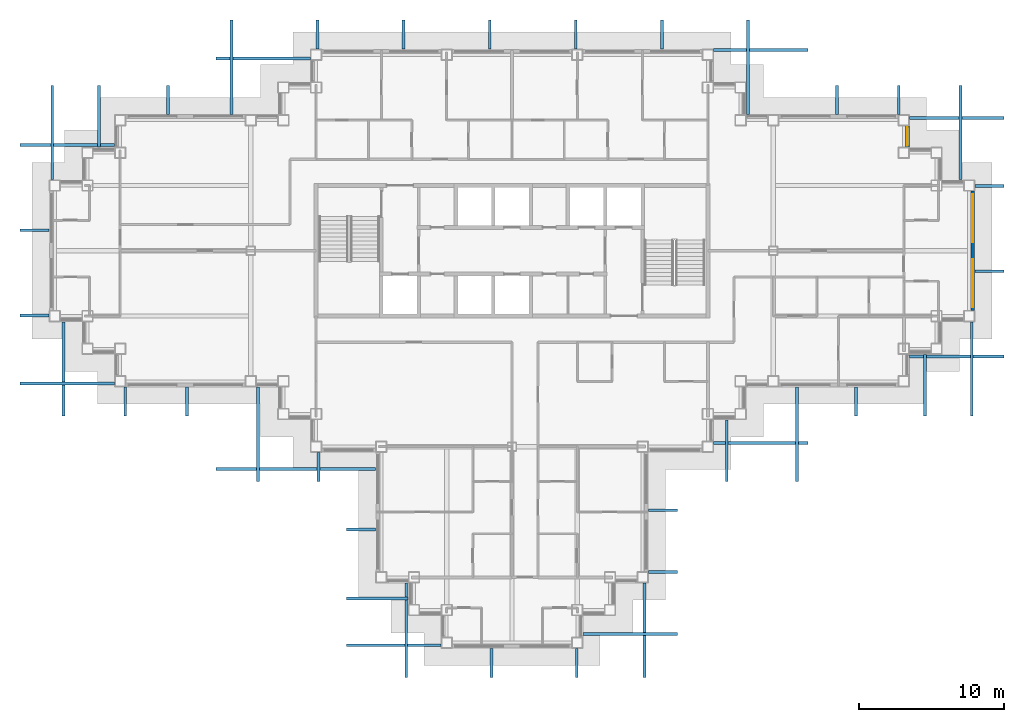
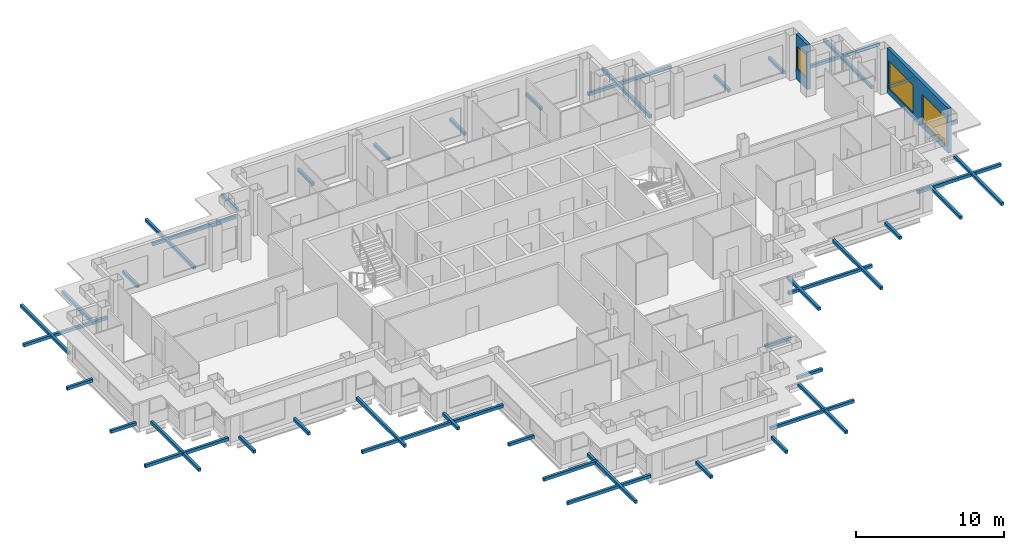
# One storey, part 10 of 15: 45 discrete accessories, 3 windows, 2 walls, 3 openings.
"""IFC4 building model written with IfcOpenShell, lengths in metres."""

from ifc_helpers import new_model, si_unit, direction, frame, frame_2d, origin, origin_2d, place, context, subcontext, project, spatial, rectangle, extrude, material, layer, layer_set, type_object, element, fill, save


model = new_model("IFC4")

# Units and contexts
model_context = context("Model", 3, precision=1e-05, world=origin(), true_north=direction((0.0, 1.0)))
body_context = subcontext(model_context, "Body", "Model", "MODEL_VIEW")
ifc_project = project(units=[si_unit("LENGTHUNIT", "METRE"), si_unit("AREAUNIT", "SQUARE_METRE"), si_unit("VOLUMEUNIT", "CUBIC_METRE"), si_unit("PLANEANGLEUNIT", "RADIAN"), si_unit("MASSUNIT", "GRAM", prefix="KILO")], contexts=[model_context])

# Site, building, storey
site_placement = place(None, origin())
site = spatial("IfcSite", under=ifc_project, at=site_placement, CompositionType="ELEMENT")
building_placement = place(site_placement, origin())
building = spatial("IfcBuilding", under=site, at=building_placement, Name="Caravel Reach Hotel and Residences", CompositionType="ELEMENT")
storey_placement = place(building_placement, frame((0.0, 0.0, 172.800048828125)))
storey = spatial("IfcBuildingStorey", under=building, at=storey_placement, Name="L43", CompositionType="ELEMENT", Elevation=172.800048828125)

# Wall, openings, windows
ifc_material_1 = material(Name="Insulated rainscreen wall, aluminium cladding", Category="aluminium")
ifc_layer = layer(ifc_material_1, 0.25)
ifc_layer_set = layer_set([ifc_layer], Name="EW1 Tower rainscreen wall")
wall_type = type_object("IfcWallType", Name="EW1 Tower rainscreen wall", PredefinedType="SOLIDWALL", material=ifc_layer_set)
wall_1_placement = place(storey_placement, frame((63.25, 22.875, 0.0), z_axis=(0.0, 0.0, 1.0), x_axis=(0.0, 1.0, 0.0)))
wall_1 = element("IfcWall", 1, at=wall_1_placement, inside=storey, type_object=wall_type, Name="External wall L43 E20.1", PredefinedType="SOLIDWALL", context=body_context, shape_type="SweptSolid", body=[
    extrude(rectangle(XDim=8.25, YDim=0.25, at=frame_2d((4.125, 0.0))), origin(), (0.0, 0.0, 1.0), 3.699951171875),
])
opening_1_placement = place(wall_1_placement, frame((0.22509765625, 0.0, 0.449951171875)))
opening_1 = element("IfcOpeningElement", 2, at=opening_1_placement, cuts=wall_1, Name="Opening WN15", PredefinedType="OPENING", context=body_context, shape_type="SweptSolid", body=[
    extrude(rectangle(XDim=3.300048828125, YDim=2.300048828125, at=frame_2d((1.64990234375, 1.14990234375))), frame((0.0, 0.135009765625, 0.0), z_axis=(0.0, -1.0, 0.0), x_axis=(1.0, 0.0, 0.0)), (0.0, 0.0, 1.0), 0.27001953125),
])
opening_2_placement = place(wall_1_placement, frame((4.72509765625, 0.0, 0.449951171875)))
opening_2 = element("IfcOpeningElement", 3, at=opening_2_placement, cuts=wall_1, Name="Opening WN15", PredefinedType="OPENING", context=body_context, shape_type="SweptSolid", body=[
    extrude(rectangle(XDim=3.300048828125, YDim=2.300048828125, at=frame_2d((1.64990234375, 1.14990234375))), frame((0.0, 0.135009765625, 0.0), z_axis=(0.0, -1.0, 0.0), x_axis=(1.0, 0.0, 0.0)), (0.0, 0.0, 1.0), 0.27001953125),
])
ifc_material_2 = material(Name="Dark low-e glazing in black aluminium frame", Category="aluminium")
window_type_1 = type_object("IfcWindowType", Name="Residence living window 3300 x 2300", PartitioningType="SINGLE_PANEL", PredefinedType="WINDOW", material=ifc_material_2)
window_1_placement = place(opening_1_placement, origin())
window_1 = element("IfcWindow", 4, at=window_1_placement, inside=storey, type_object=window_type_1, Name="Window L43 E20.1.1", OverallHeight=2.300048828125, OverallWidth=3.300048828125, PartitioningType="SINGLE_PANEL", PredefinedType="WINDOW", context=body_context, shape_type="SweptSolid", body=[
    extrude(rectangle(XDim=3.300048828125, YDim=2.300048828125, at=frame_2d((1.64990234375, 1.14990234375))), frame((0.0, 0.030029296875, 0.0), z_axis=(0.0, -1.0, 0.0), x_axis=(1.0, 0.0, 0.0)), (0.0, 0.0, 1.0), 0.06005859375),
])
fill(opening_1, window_1)
window_2_placement = place(opening_2_placement, origin())
window_2 = element("IfcWindow", 5, at=window_2_placement, inside=storey, type_object=window_type_1, Name="Window L43 E20.1.2", OverallHeight=2.300048828125, OverallWidth=3.300048828125, PartitioningType="SINGLE_PANEL", PredefinedType="WINDOW", context=body_context, shape_type="SweptSolid", body=[
    extrude(rectangle(XDim=3.300048828125, YDim=2.300048828125, at=frame_2d((1.64990234375, 1.14990234375))), frame((0.0, 0.030029296875, 0.0), z_axis=(0.0, -1.0, 0.0), x_axis=(1.0, 0.0, 0.0)), (0.0, 0.0, 1.0), 0.06005859375),
])
fill(opening_2, window_2)

# Wall, opening, window
wall_2_placement = place(storey_placement, frame((58.75, 34.125, 0.0), z_axis=(0.0, 0.0, 1.0), x_axis=(0.0, 1.0, 0.0)))
wall_2 = element("IfcWall", 6, at=wall_2_placement, inside=storey, type_object=wall_type, Name="External wall L43 E24.1", PredefinedType="SOLIDWALL", context=body_context, shape_type="SweptSolid", body=[
    extrude(rectangle(XDim=1.5, YDim=0.25, at=frame_2d((0.75, 0.0))), origin(), (0.0, 0.0, 1.0), 3.699951171875),
])
opening_3_placement = place(wall_2_placement, frame((0.10009765625, 0.0, 0.89990234375)))
opening_3 = element("IfcOpeningElement", 7, at=opening_3_placement, cuts=wall_2, Name="Opening WN16", PredefinedType="OPENING", context=body_context, shape_type="SweptSolid", body=[
    extrude(rectangle(XDim=1.300048828125, YDim=1.85009765625, at=frame_2d((0.64990234375, 0.925048828125))), frame((0.0, 0.135009765625, 0.0), z_axis=(0.0, -1.0, 0.0), x_axis=(1.0, 0.0, 0.0)), (0.0, 0.0, 1.0), 0.27001953125),
])
ifc_material_3 = material(Name="Dark low-e glazing in black aluminium frame", Category="aluminium")
window_type_2 = type_object("IfcWindowType", Name="Residence bedroom window 1300 x 1850", PartitioningType="SINGLE_PANEL", PredefinedType="WINDOW", material=ifc_material_3)
window_3_placement = place(opening_3_placement, origin())
window_3 = element("IfcWindow", 8, at=window_3_placement, inside=storey, type_object=window_type_2, Name="Window L43 E24.1.1", OverallHeight=1.85009765625, OverallWidth=1.300048828125, PartitioningType="SINGLE_PANEL", PredefinedType="WINDOW", context=body_context, shape_type="SweptSolid", body=[
    extrude(rectangle(XDim=1.300048828125, YDim=1.85009765625, at=frame_2d((0.64990234375, 0.925048828125))), frame((0.0, 0.030029296875, 0.0), z_axis=(0.0, -1.0, 0.0), x_axis=(1.0, 0.0, 0.0)), (0.0, 0.0, 1.0), 0.06005859375),
])
fill(opening_3, window_3)

# Discrete accessories
ifc_material_4 = material(Name="Black powder-coated aluminium", Category="aluminium")
discrete_accessory_type = type_object("IfcDiscreteAccessoryType", Name="BR1 Screen bracket", PredefinedType="BRACKET", material=ifc_material_4)
discrete_accessory_1_placement = place(storey_placement, frame((21.10009765625, 7.78662109375, 0.099853515625), z_axis=(0.0, 0.0, 1.0), x_axis=(-1.0, 0.0, 0.0)))
element("IfcDiscreteAccessory", 9, at=discrete_accessory_1_placement, inside=storey, type_object=discrete_accessory_type, Name="Screen bracket L43 1.1.2", PredefinedType="BRACKET", context=body_context, shape_type="SweptSolid", body=[
    extrude(rectangle(XDim=2.0, YDim=0.199951171875, at=origin_2d()), origin(), (0.0, 0.0, 1.0), 0.25),
])
discrete_accessory_2_placement = place(storey_placement, frame((22.22509765625, 3.05322265625, 0.099853515625), z_axis=(0.0, 0.0, 1.0), x_axis=(-1.0, 0.0, 0.0)))
element("IfcDiscreteAccessory", 10, at=discrete_accessory_2_placement, inside=storey, type_object=discrete_accessory_type, Name="Screen bracket L43 1.2.2", PredefinedType="BRACKET", context=body_context, shape_type="SweptSolid", body=[
    extrude(rectangle(XDim=4.25, YDim=0.199951171875, at=origin_2d()), origin(), (0.0, 0.0, 1.0), 0.25),
])
for number, where, z_axis, x_axis, name in (
    (11, (23.35009765625, -0.179931640625, 0.099853515625), (0.0, 0.0, 1.0), (-1.0, 0.0, 0.0), "Screen bracket L43 1.3.2"),
    (12, (24.21240234375, 0.85009765625, 0.099853515625), (0.0, 0.0, 1.0), (0.0, -1.0, 0.0), "Screen bracket L43 2.1.2"),
):
    element("IfcDiscreteAccessory", number, at=place(storey_placement, frame(where, z_axis=z_axis, x_axis=x_axis)), inside=storey, type_object=discrete_accessory_type, Name=name, PredefinedType="BRACKET", context=body_context, shape_type="SweptSolid", body=[
        extrude(rectangle(XDim=6.5, YDim=0.199951171875, at=origin_2d()), origin(), (0.0, 0.0, 1.0), 0.25),
    ])
for number, where, z_axis, x_axis, name in (
    (13, (30.08740234375, -1.39990234375, 0.099853515625), (0.0, 0.0, 1.0), (0.0, -1.0, 0.0), "Screen bracket L43 2.2.2"),
    (14, (35.96240234375, -1.39990234375, 0.099853515625), (0.0, 0.0, 1.0), (0.0, -1.0, 0.0), "Screen bracket L43 2.3.2"),
):
    element("IfcDiscreteAccessory", number, at=place(storey_placement, frame(where, z_axis=z_axis, x_axis=x_axis)), inside=storey, type_object=discrete_accessory_type, Name=name, PredefinedType="BRACKET", context=body_context, shape_type="SweptSolid", body=[
        extrude(rectangle(XDim=2.0, YDim=0.199951171875, at=origin_2d()), origin(), (0.0, 0.0, 1.0), 0.25),
    ])
for number, where, z_axis, x_axis, name in (
    (15, (40.637451171875, 0.85009765625, 0.099853515625), (0.0, 0.0, 1.0), (0.0, -1.0, 0.0), "Screen bracket L43 2.4.2"),
    (16, (39.64990234375, 0.586669921875, 0.099853515625), (0.0, 0.0, 1.0), (1.0, 0.0, 0.0), "Screen bracket L43 3.1.2"),
):
    element("IfcDiscreteAccessory", number, at=place(storey_placement, frame(where, z_axis=z_axis, x_axis=x_axis)), inside=storey, type_object=discrete_accessory_type, Name=name, PredefinedType="BRACKET", context=body_context, shape_type="SweptSolid", body=[
        extrude(rectangle(XDim=6.5, YDim=0.199951171875, at=origin_2d()), origin(), (0.0, 0.0, 1.0), 0.25),
    ])
for number, where, z_axis, x_axis, name in (
    (17, (41.89990234375, 4.853271484375, 0.099853515625), (0.0, 0.0, 1.0), (1.0, 0.0, 0.0), "Screen bracket L43 3.2.2"),
    (18, (41.89990234375, 9.1201171875, 0.099853515625), (0.0, 0.0, 1.0), (1.0, 0.0, 0.0), "Screen bracket L43 3.3.2"),
):
    element("IfcDiscreteAccessory", number, at=place(storey_placement, frame(where, z_axis=z_axis, x_axis=x_axis)), inside=storey, type_object=discrete_accessory_type, Name=name, PredefinedType="BRACKET", context=body_context, shape_type="SweptSolid", body=[
        extrude(rectangle(XDim=2.0, YDim=0.199951171875, at=origin_2d()), origin(), (0.0, 0.0, 1.0), 0.25),
    ])
discrete_accessory_3_placement = place(storey_placement, frame((46.294921875, 13.22509765625, 0.099853515625), z_axis=(0.0, 0.0, 1.0), x_axis=(0.0, -1.0, 0.0)))
element("IfcDiscreteAccessory", 19, at=discrete_accessory_3_placement, inside=storey, type_object=discrete_accessory_type, Name="Screen bracket L43 4.1.2", PredefinedType="BRACKET", context=body_context, shape_type="SweptSolid", body=[
    extrude(rectangle(XDim=4.25, YDim=0.199951171875, at=origin_2d()), origin(), (0.0, 0.0, 1.0), 0.25),
])
for number, where, z_axis, x_axis, name in (
    (20, (51.14501953125, 14.35009765625, 0.099853515625), (0.0, 0.0, 1.0), (0.0, -1.0, 0.0), "Screen bracket L43 4.2.2"),
    (21, (48.64990234375, 13.760009765625, 0.099853515625), (0.0, 0.0, 1.0), (1.0, 0.0, 0.0), "Screen bracket L43 5.1.2"),
):
    element("IfcDiscreteAccessory", number, at=place(storey_placement, frame(where, z_axis=z_axis, x_axis=x_axis)), inside=storey, type_object=discrete_accessory_type, Name=name, PredefinedType="BRACKET", context=body_context, shape_type="SweptSolid", body=[
        extrude(rectangle(XDim=6.5, YDim=0.199951171875, at=origin_2d()), origin(), (0.0, 0.0, 1.0), 0.25),
    ])
discrete_accessory_4_placement = place(storey_placement, frame((55.21337890625, 16.60009765625, 0.099853515625), z_axis=(0.0, 0.0, 1.0), x_axis=(0.0, -1.0, 0.0)))
element("IfcDiscreteAccessory", 22, at=discrete_accessory_4_placement, inside=storey, type_object=discrete_accessory_type, Name="Screen bracket L43 6.1.2", PredefinedType="BRACKET", context=body_context, shape_type="SweptSolid", body=[
    extrude(rectangle(XDim=2.0, YDim=0.199951171875, at=origin_2d()), origin(), (0.0, 0.0, 1.0), 0.25),
])
discrete_accessory_5_placement = place(storey_placement, frame((59.94677734375, 17.72509765625, 0.099853515625), z_axis=(0.0, 0.0, 1.0), x_axis=(0.0, -1.0, 0.0)))
element("IfcDiscreteAccessory", 23, at=discrete_accessory_5_placement, inside=storey, type_object=discrete_accessory_type, Name="Screen bracket L43 6.2.2", PredefinedType="BRACKET", context=body_context, shape_type="SweptSolid", body=[
    extrude(rectangle(XDim=4.25, YDim=0.199951171875, at=origin_2d()), origin(), (0.0, 0.0, 1.0), 0.25),
])
for number, where, z_axis, x_axis, name in (
    (24, (63.179931640625, 18.85009765625, 0.099853515625), (0.0, 0.0, 1.0), (0.0, -1.0, 0.0), "Screen bracket L43 6.3.2"),
    (25, (62.14990234375, 19.71240234375, 0.099853515625), (0.0, 0.0, 1.0), (1.0, 0.0, 0.0), "Screen bracket L43 7.1.2"),
):
    element("IfcDiscreteAccessory", number, at=place(storey_placement, frame(where, z_axis=z_axis, x_axis=x_axis)), inside=storey, type_object=discrete_accessory_type, Name=name, PredefinedType="BRACKET", context=body_context, shape_type="SweptSolid", body=[
        extrude(rectangle(XDim=6.5, YDim=0.199951171875, at=origin_2d()), origin(), (0.0, 0.0, 1.0), 0.25),
    ])
for number, where, z_axis, x_axis, name in (
    (26, (64.39990234375, 25.58740234375, 0.099853515625), (0.0, 0.0, 1.0), (1.0, 0.0, 0.0), "Screen bracket L43 7.2.2"),
    (27, (64.39990234375, 31.46240234375, 0.099853515625), (0.0, 0.0, 1.0), (1.0, 0.0, 0.0), "Screen bracket L43 7.3.2"),
):
    element("IfcDiscreteAccessory", number, at=place(storey_placement, frame(where, z_axis=z_axis, x_axis=x_axis)), inside=storey, type_object=discrete_accessory_type, Name=name, PredefinedType="BRACKET", context=body_context, shape_type="SweptSolid", body=[
        extrude(rectangle(XDim=2.0, YDim=0.199951171875, at=origin_2d()), origin(), (0.0, 0.0, 1.0), 0.25),
    ])
for number, where, z_axis, x_axis, name in (
    (28, (62.14990234375, 36.137451171875, 0.099853515625), (0.0, 0.0, 1.0), (1.0, 0.0, 0.0), "Screen bracket L43 7.4.2"),
    (29, (62.413330078125, 35.14990234375, 0.099853515625), (0.0, 0.0, 1.0), (0.0, 1.0, 0.0), "Screen bracket L43 8.1.2"),
):
    element("IfcDiscreteAccessory", number, at=place(storey_placement, frame(where, z_axis=z_axis, x_axis=x_axis)), inside=storey, type_object=discrete_accessory_type, Name=name, PredefinedType="BRACKET", context=body_context, shape_type="SweptSolid", body=[
        extrude(rectangle(XDim=6.5, YDim=0.199951171875, at=origin_2d()), origin(), (0.0, 0.0, 1.0), 0.25),
    ])
for number, where, z_axis, x_axis, name in (
    (30, (58.146728515625, 37.39990234375, 0.099853515625), (0.0, 0.0, 1.0), (0.0, 1.0, 0.0), "Screen bracket L43 8.2.2"),
    (31, (53.8798828125, 37.39990234375, 0.099853515625), (0.0, 0.0, 1.0), (0.0, 1.0, 0.0), "Screen bracket L43 8.3.2"),
):
    element("IfcDiscreteAccessory", number, at=place(storey_placement, frame(where, z_axis=z_axis, x_axis=x_axis)), inside=storey, type_object=discrete_accessory_type, Name=name, PredefinedType="BRACKET", context=body_context, shape_type="SweptSolid", body=[
        extrude(rectangle(XDim=2.0, YDim=0.199951171875, at=origin_2d()), origin(), (0.0, 0.0, 1.0), 0.25),
    ])
for number, where, z_axis, x_axis, name in (
    (32, (48.64990234375, 40.840087890625, 0.099853515625), (0.0, 0.0, 1.0), (1.0, 0.0, 0.0), "Screen bracket L43 9.1.2"),
    (33, (47.75, 39.64990234375, 0.099853515625), (0.0, 0.0, 1.0), (0.0, 1.0, 0.0), "Screen bracket L43 10.1.2"),
):
    element("IfcDiscreteAccessory", number, at=place(storey_placement, frame(where, z_axis=z_axis, x_axis=x_axis)), inside=storey, type_object=discrete_accessory_type, Name=name, PredefinedType="BRACKET", context=body_context, shape_type="SweptSolid", body=[
        extrude(rectangle(XDim=6.5, YDim=0.199951171875, at=origin_2d()), origin(), (0.0, 0.0, 1.0), 0.25),
    ])
for number, where, z_axis, x_axis, name in (
    (34, (41.821533203125, 41.89990234375, 0.099853515625), (0.0, 0.0, 1.0), (0.0, 1.0, 0.0), "Screen bracket L43 10.2.2"),
    (35, (35.892822265625, 41.89990234375, 0.099853515625), (0.0, 0.0, 1.0), (0.0, 1.0, 0.0), "Screen bracket L43 10.3.2"),
    (36, (29.96435546875, 41.89990234375, 0.099853515625), (0.0, 0.0, 1.0), (0.0, 1.0, 0.0), "Screen bracket L43 10.4.2"),
    (37, (24.03564453125, 41.89990234375, 0.099853515625), (0.0, 0.0, 1.0), (0.0, 1.0, 0.0), "Screen bracket L43 10.5.2"),
    (38, (18.107177734375, 41.89990234375, 0.099853515625), (0.0, 0.0, 1.0), (0.0, 1.0, 0.0), "Screen bracket L43 10.6.2"),
):
    element("IfcDiscreteAccessory", number, at=place(storey_placement, frame(where, z_axis=z_axis, x_axis=x_axis)), inside=storey, type_object=discrete_accessory_type, Name=name, PredefinedType="BRACKET", context=body_context, shape_type="SweptSolid", body=[
        extrude(rectangle(XDim=2.0, YDim=0.199951171875, at=origin_2d()), origin(), (0.0, 0.0, 1.0), 0.25),
    ])
for number, where, z_axis, x_axis, name in (
    (39, (12.178466796875, 39.64990234375, 0.099853515625), (0.0, 0.0, 1.0), (0.0, 1.0, 0.0), "Screen bracket L43 10.7.2"),
    (40, (14.35009765625, 40.239990234375, 0.099853515625), (0.0, 0.0, 1.0), (-1.0, 0.0, 0.0), "Screen bracket L43 11.1.2"),
):
    element("IfcDiscreteAccessory", number, at=place(storey_placement, frame(where, z_axis=z_axis, x_axis=x_axis)), inside=storey, type_object=discrete_accessory_type, Name=name, PredefinedType="BRACKET", context=body_context, shape_type="SweptSolid", body=[
        extrude(rectangle(XDim=6.5, YDim=0.199951171875, at=origin_2d()), origin(), (0.0, 0.0, 1.0), 0.25),
    ])
discrete_accessory_6_placement = place(storey_placement, frame((7.78662109375, 37.39990234375, 0.099853515625), z_axis=(0.0, 0.0, 1.0), x_axis=(0.0, 1.0, 0.0)))
element("IfcDiscreteAccessory", 41, at=discrete_accessory_6_placement, inside=storey, type_object=discrete_accessory_type, Name="Screen bracket L43 12.1.2", PredefinedType="BRACKET", context=body_context, shape_type="SweptSolid", body=[
    extrude(rectangle(XDim=2.0, YDim=0.199951171875, at=origin_2d()), origin(), (0.0, 0.0, 1.0), 0.25),
])
discrete_accessory_7_placement = place(storey_placement, frame((3.05322265625, 36.27490234375, 0.099853515625), z_axis=(0.0, 0.0, 1.0), x_axis=(0.0, 1.0, 0.0)))
element("IfcDiscreteAccessory", 42, at=discrete_accessory_7_placement, inside=storey, type_object=discrete_accessory_type, Name="Screen bracket L43 12.2.2", PredefinedType="BRACKET", context=body_context, shape_type="SweptSolid", body=[
    extrude(rectangle(XDim=4.25, YDim=0.199951171875, at=origin_2d()), origin(), (0.0, 0.0, 1.0), 0.25),
])
for number, where, z_axis, x_axis, name in (
    (43, (-0.179931640625, 35.14990234375, 0.099853515625), (0.0, 0.0, 1.0), (0.0, 1.0, 0.0), "Screen bracket L43 12.3.2"),
    (44, (0.85009765625, 34.28759765625, 0.099853515625), (0.0, 0.0, 1.0), (-1.0, 0.0, 0.0), "Screen bracket L43 13.1.2"),
):
    element("IfcDiscreteAccessory", number, at=place(storey_placement, frame(where, z_axis=z_axis, x_axis=x_axis)), inside=storey, type_object=discrete_accessory_type, Name=name, PredefinedType="BRACKET", context=body_context, shape_type="SweptSolid", body=[
        extrude(rectangle(XDim=6.5, YDim=0.199951171875, at=origin_2d()), origin(), (0.0, 0.0, 1.0), 0.25),
    ])
for number, where, z_axis, x_axis, name in (
    (45, (-1.39990234375, 28.41259765625, 0.099853515625), (0.0, 0.0, 1.0), (-1.0, 0.0, 0.0), "Screen bracket L43 13.2.2"),
    (46, (-1.39990234375, 22.53759765625, 0.099853515625), (0.0, 0.0, 1.0), (-1.0, 0.0, 0.0), "Screen bracket L43 13.3.2"),
):
    element("IfcDiscreteAccessory", number, at=place(storey_placement, frame(where, z_axis=z_axis, x_axis=x_axis)), inside=storey, type_object=discrete_accessory_type, Name=name, PredefinedType="BRACKET", context=body_context, shape_type="SweptSolid", body=[
        extrude(rectangle(XDim=2.0, YDim=0.199951171875, at=origin_2d()), origin(), (0.0, 0.0, 1.0), 0.25),
    ])
for number, where, z_axis, x_axis, name in (
    (47, (0.85009765625, 17.862548828125, 0.099853515625), (0.0, 0.0, 1.0), (-1.0, 0.0, 0.0), "Screen bracket L43 13.4.2"),
    (48, (0.586669921875, 18.85009765625, 0.099853515625), (0.0, 0.0, 1.0), (0.0, -1.0, 0.0), "Screen bracket L43 14.1.2"),
):
    element("IfcDiscreteAccessory", number, at=place(storey_placement, frame(where, z_axis=z_axis, x_axis=x_axis)), inside=storey, type_object=discrete_accessory_type, Name=name, PredefinedType="BRACKET", context=body_context, shape_type="SweptSolid", body=[
        extrude(rectangle(XDim=6.5, YDim=0.199951171875, at=origin_2d()), origin(), (0.0, 0.0, 1.0), 0.25),
    ])
for number, where, z_axis, x_axis, name in (
    (49, (4.853271484375, 16.60009765625, 0.099853515625), (0.0, 0.0, 1.0), (0.0, -1.0, 0.0), "Screen bracket L43 14.2.2"),
    (50, (9.1201171875, 16.60009765625, 0.099853515625), (0.0, 0.0, 1.0), (0.0, -1.0, 0.0), "Screen bracket L43 14.3.2"),
):
    element("IfcDiscreteAccessory", number, at=place(storey_placement, frame(where, z_axis=z_axis, x_axis=x_axis)), inside=storey, type_object=discrete_accessory_type, Name=name, PredefinedType="BRACKET", context=body_context, shape_type="SweptSolid", body=[
        extrude(rectangle(XDim=2.0, YDim=0.199951171875, at=origin_2d()), origin(), (0.0, 0.0, 1.0), 0.25),
    ])
discrete_accessory_8_placement = place(storey_placement, frame((16.60009765625, 11.9599609375, 0.099853515625), z_axis=(0.0, 0.0, 1.0), x_axis=(-1.0, 0.0, 0.0)))
element("IfcDiscreteAccessory", 51, at=discrete_accessory_8_placement, inside=storey, type_object=discrete_accessory_type, Name="Screen bracket L43 15.1.2", PredefinedType="BRACKET", context=body_context, shape_type="SweptSolid", body=[
    extrude(rectangle(XDim=11.0, YDim=0.199951171875, at=origin_2d()), origin(), (0.0, 0.0, 1.0), 0.25),
])
discrete_accessory_9_placement = place(storey_placement, frame((14.0048828125, 14.35009765625, 0.099853515625), z_axis=(0.0, 0.0, 1.0), x_axis=(0.0, -1.0, 0.0)))
element("IfcDiscreteAccessory", 52, at=discrete_accessory_9_placement, inside=storey, type_object=discrete_accessory_type, Name="Screen bracket L43 16.1.2", PredefinedType="BRACKET", context=body_context, shape_type="SweptSolid", body=[
    extrude(rectangle(XDim=6.5, YDim=0.199951171875, at=origin_2d()), origin(), (0.0, 0.0, 1.0), 0.25),
])
discrete_accessory_10_placement = place(storey_placement, frame((18.155029296875, 12.10009765625, 0.099853515625), z_axis=(0.0, 0.0, 1.0), x_axis=(0.0, -1.0, 0.0)))
element("IfcDiscreteAccessory", 53, at=discrete_accessory_10_placement, inside=storey, type_object=discrete_accessory_type, Name="Screen bracket L43 16.2.2", PredefinedType="BRACKET", context=body_context, shape_type="SweptSolid", body=[
    extrude(rectangle(XDim=2.0, YDim=0.199951171875, at=origin_2d()), origin(), (0.0, 0.0, 1.0), 0.25),
])

save(model, "model.ifc")
